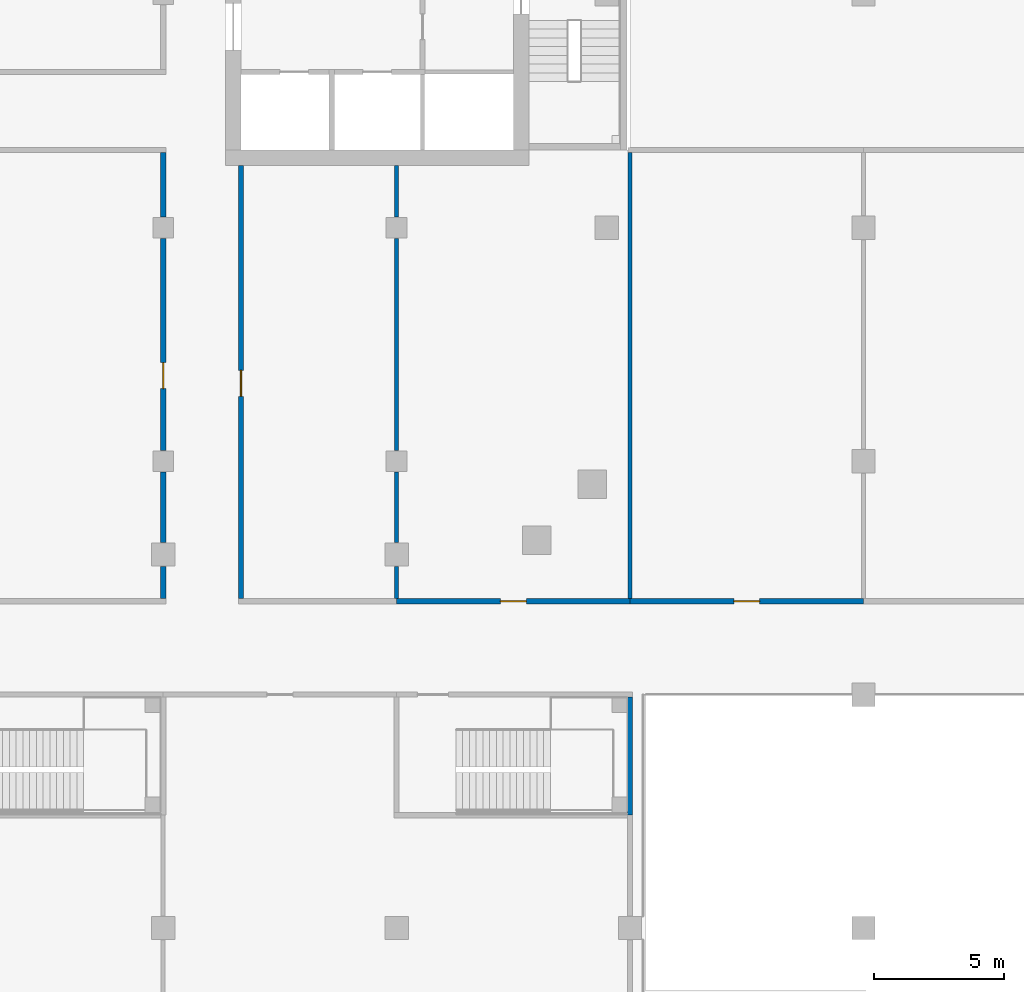
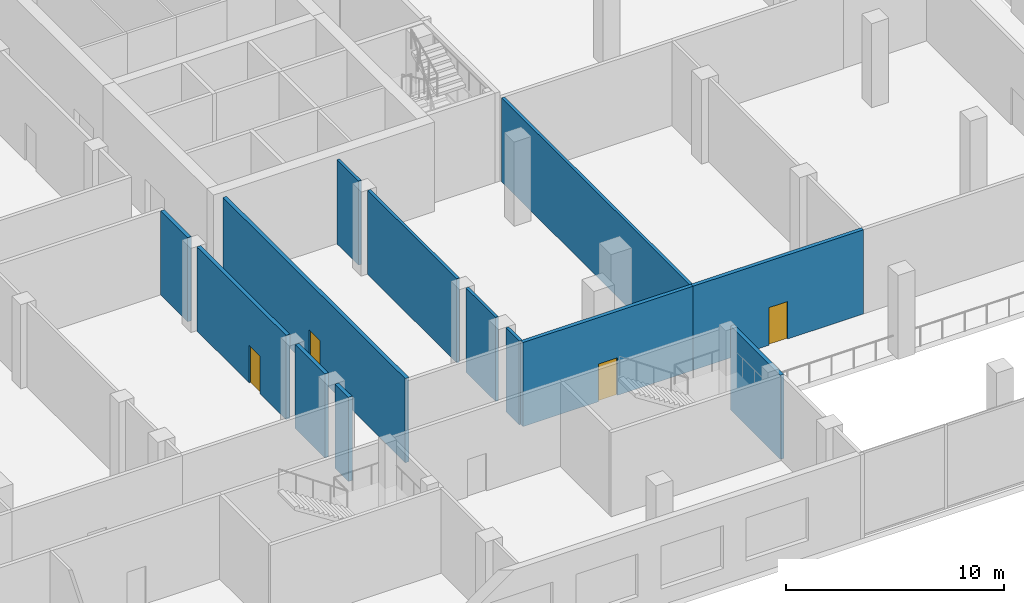
# One storey, part 7 of 23: 13 walls, 4 doors, 4 openings.
"""IFC4 building model written with IfcOpenShell, lengths in metres."""

import ifcopenshell
import ifcopenshell.guid

model = None  # the IFC model being written
_history = None  # IfcOwnerHistory: only IFC2X3 demands one
_inside = {}  # id of a spatial element -> (the spatial element, [elements in it])
_under = {}  # id of a project, library or spatial element -> (it, [spatial elements below it])
_declared = {}  # id of a project -> (the project, [libraries it declares])
_typed = {}  # id of a type object -> (the type object, [elements of that type])
_made_of = {}  # id of a material, layer set ... -> (it, [elements and type objects made of it])


def new_model(schema):
    """Start an empty IFC model of exactly this schema.

    Asked for "IFC4X3", IfcOpenShell would pick the latest addendum, in which some entities
    have other attributes; the version numbers below select the first issue.
    IFC2X3 requires an IfcOwnerHistory on every rooted entity: one is made here for all.
    """
    global model, _history
    if schema == "IFC4X3":
        model = ifcopenshell.file(schema_version=(4, 3, 0, 0))
    else:
        model = ifcopenshell.file(schema=schema)
    _inside.clear()
    _under.clear()
    _declared.clear()
    _typed.clear()
    _made_of.clear()
    _history = None
    if model.schema == "IFC2X3":
        org = make("IfcOrganization", Name="unknown")
        user = make(
            "IfcPersonAndOrganization",
            ThePerson=make("IfcPerson", FamilyName="unknown"),
            TheOrganization=org,
        )
        app = make(
            "IfcApplication",
            ApplicationDeveloper=org,
            Version="unknown",
            ApplicationFullName="unknown",
            ApplicationIdentifier="unknown",
        )
        _history = make(
            "IfcOwnerHistory",
            OwningUser=user,
            OwningApplication=app,
            ChangeAction="ADDED",
            CreationDate=0,
        )
    return model


def make(cls, **values):
    """One entity of the class cls with the attributes given. An attribute that is None is left unset."""
    return model.create_entity(
        cls, **{name: value for name, value in values.items() if value is not None}
    )


def rooted(cls, **values):
    """An entity with a GlobalId (a new one), such as an element, a storey or a relation."""
    return make(cls, GlobalId=ifcopenshell.guid.new(), OwnerHistory=_history, **values)


def si_unit(unit_type, name, prefix=None):
    """IfcSIUnit, for example si_unit("LENGTHUNIT", "METRE", prefix="MILLI")."""
    return make("IfcSIUnit", UnitType=unit_type, Prefix=prefix, Name=name)


def assignment(units):
    """IfcUnitAssignment: the units of a project."""
    return None if units is None else make("IfcUnitAssignment", Units=units)


def point(xyz):
    """IfcCartesianPoint."""
    return None if xyz is None else make("IfcCartesianPoint", Coordinates=xyz)


def direction(xyz):
    """IfcDirection."""
    return None if xyz is None else make("IfcDirection", DirectionRatios=xyz)


def frame(location, z_axis=None, x_axis=None):
    """IfcAxis2Placement3D, a coordinate frame: its origin and axes. An axis left out is left unset."""
    return make(
        "IfcAxis2Placement3D",
        Location=point(location),
        Axis=direction(z_axis),
        RefDirection=direction(x_axis),
    )


def frame_2d(location, x_axis=None):
    """IfcAxis2Placement2D, a coordinate frame in the plane: its origin and x axis."""
    return make(
        "IfcAxis2Placement2D", Location=point(location), RefDirection=direction(x_axis)
    )


def origin():
    """The frame at (0, 0, 0) with its axes left unset."""
    return frame((0.0, 0.0, 0.0))


def place(relative_to, where):
    """IfcLocalPlacement: puts the frame where relative to a parent placement (None: the world)."""
    return make(
        "IfcLocalPlacement", PlacementRelTo=relative_to, RelativePlacement=where
    )


def context(
    kind, dimensions, precision=None, world=None, true_north=None, identifier=None
):
    """IfcGeometricRepresentationContext, for example the 3D "Model" context."""
    return make(
        "IfcGeometricRepresentationContext",
        ContextIdentifier=identifier,
        ContextType=kind,
        CoordinateSpaceDimension=dimensions,
        Precision=precision,
        WorldCoordinateSystem=world,
        TrueNorth=true_north,
    )


def subcontext(parent, identifier, kind, view, scale=None):
    """IfcGeometricRepresentationSubContext, for example "Body" below "Model"."""
    return make(
        "IfcGeometricRepresentationSubContext",
        ContextIdentifier=identifier,
        ContextType=kind,
        ParentContext=parent,
        TargetScale=scale,
        TargetView=view,
    )


def project(units=None, contexts=None):
    """IfcProject with its units and contexts."""
    return rooted(
        "IfcProject",
        Name="project",
        RepresentationContexts=contexts,
        UnitsInContext=assignment(units),
    )


def spatial(cls, under=None, at=None, **own):
    """A site, building, storey or space (cls), placed at a placement, below another one or the project."""
    s = rooted(cls, ObjectPlacement=at, **own)
    if under is not None:
        _under.setdefault(under.id(), (under, []))[1].append(s)
    return s


def profile(cls, at=None, kind="AREA", **sizes):
    """A parametric profile (cls). Its sizes go by their IFC names, for example OverallWidth=200.0."""
    return make(cls, ProfileType=kind, Position=at, **sizes)


def rectangle(**sizes):
    """IfcRectangleProfileDef."""
    return profile("IfcRectangleProfileDef", **sizes)


def extrude(swept, where, along, depth):
    """IfcExtrudedAreaSolid: the profile swept, set in the frame where, extruded along a direction by depth."""
    return make(
        "IfcExtrudedAreaSolid",
        SweptArea=swept,
        Position=where,
        ExtrudedDirection=direction(along),
        Depth=depth,
    )


def shape(context_of_items, identifier, shape_type, items):
    """IfcShapeRepresentation: the items that make up one representation, for example the "Body"."""
    return make(
        "IfcShapeRepresentation",
        ContextOfItems=context_of_items,
        RepresentationIdentifier=identifier,
        RepresentationType=shape_type,
        Items=items,
    )


def material(Name=None, Category=None):
    """IfcMaterial."""
    return make("IfcMaterial", Name=Name, Category=Category)


def layer(
    of_material, thickness, ventilated=None, Name=None, Category=None, Priority=None
):
    """IfcMaterialLayer: one layer of a wall or slab, of a material (None: an air gap)."""
    return make(
        "IfcMaterialLayer",
        Material=of_material,
        LayerThickness=thickness,
        IsVentilated=ventilated,
        Name=Name,
        Category=Category,
        Priority=Priority,
    )


def layer_set(layers, Name=None):
    """IfcMaterialLayerSet."""
    return make("IfcMaterialLayerSet", MaterialLayers=layers, LayerSetName=Name)


def made_of(thing, what):
    """Note that an element or type object is made of a material, layer set ...; save() writes the relation."""
    if what is not None:
        _made_of.setdefault(what.id(), (what, []))[1].append(thing)
    return thing


def type_object(cls, material=None, **own):
    """A type object (cls), such as IfcWallType, which elements share."""
    return made_of(rooted(cls, **own), material)


def element(
    cls,
    number,
    at=None,
    inside=None,
    cuts=None,
    type_object=None,
    material=None,
    context=None,
    identifier="Body",
    shape_type=None,
    held_by="IfcProductDefinitionShape",
    body=None,
    shapes=None,
    **own,
):
    """One element of the class cls, such as IfcWall. Its Tag is "e" and its number.

    at: its placement. inside: the storey or other place that contains it. cuts: it is an
    opening in that element (IfcRelVoidsElement). A single representation is given by context,
    identifier, shape_type and body (its items); several are given by shapes. held_by: the class
    of the entity that holds the representations. save() writes the other relations.
    """
    e = rooted(cls, Tag="e%d" % number, ObjectPlacement=at, **own)
    if body is not None:
        shapes = [shape(context, identifier, shape_type, body)]
    if shapes is not None:
        e.Representation = make(held_by, Representations=shapes)
    if inside is not None:
        _inside.setdefault(inside.id(), (inside, []))[1].append(e)
    if cuts is not None:
        rooted(
            "IfcRelVoidsElement", RelatingBuildingElement=cuts, RelatedOpeningElement=e
        )
    if type_object is not None:
        _typed.setdefault(type_object.id(), (type_object, []))[1].append(e)
    return made_of(e, material)


def fill(opening, filler):
    """IfcRelFillsElement: the door or window that sits in an opening."""
    return rooted(
        "IfcRelFillsElement",
        RelatingOpeningElement=opening,
        RelatedBuildingElement=filler,
    )


def aggregate(whole, parts):
    """IfcRelAggregates: a whole, such as a stair, and the parts it consists of."""
    return rooted("IfcRelAggregates", RelatingObject=whole, RelatedObjects=parts)


def save(model, path):
    """Write the relations noted so far, then the file.

    IfcRelAggregates (storeys below a building ...), IfcRelContainedInSpatialStructure (elements
    in a storey), IfcRelDefinesByType, IfcRelAssociatesMaterial and IfcRelDeclares: one each for
    every whole, place, type object, material and project.
    """
    for whole, parts in _under.values():
        aggregate(whole, parts)
    for where, things in _inside.values():
        rooted(
            "IfcRelContainedInSpatialStructure",
            RelatedElements=things,
            RelatingStructure=where,
        )
    for kind, things in _typed.values():
        rooted("IfcRelDefinesByType", RelatedObjects=things, RelatingType=kind)
    for what, things in _made_of.values():
        rooted("IfcRelAssociatesMaterial", RelatedObjects=things, RelatingMaterial=what)
    for by, libraries in _declared.values():
        rooted("IfcRelDeclares", RelatingContext=by, RelatedDefinitions=libraries)
    model.write(path)


model = new_model("IFC4")

# Units and contexts
model_context = context("Model", 3, precision=1e-05, world=origin(), true_north=direction((0.0, 1.0)))
body_context = subcontext(model_context, "Body", "Model", "MODEL_VIEW")
ifc_project = project(units=[si_unit("LENGTHUNIT", "METRE"), si_unit("AREAUNIT", "SQUARE_METRE"), si_unit("VOLUMEUNIT", "CUBIC_METRE"), si_unit("PLANEANGLEUNIT", "RADIAN"), si_unit("MASSUNIT", "GRAM", prefix="KILO")], contexts=[model_context])

# Site, building, storey
site_placement = place(None, origin())
site = spatial("IfcSite", under=ifc_project, at=site_placement, CompositionType="ELEMENT")
building_placement = place(site_placement, origin())
building = spatial("IfcBuilding", under=site, at=building_placement, Name="Cinnabar Reach Civic Tower", CompositionType="ELEMENT")
storey_placement = place(building_placement, frame((0.0, 0.0, 6.0)))
storey = spatial("IfcBuildingStorey", under=building, at=storey_placement, Name="L01", CompositionType="ELEMENT", Elevation=6.0)

# Wall
ifc_material_1 = material(Name="Concrete blockwork", Category="masonry")
ifc_layer_1 = layer(ifc_material_1, 0.2)
ifc_layer_set_1 = layer_set([ifc_layer_1], Name="Podium masonry corridor wall 200 EI 120")
wall_type_1 = type_object("IfcWallType", Name="Podium masonry corridor wall 200 EI 120", PredefinedType="PARTITIONING", material=ifc_layer_set_1)
wall_1_placement = place(storey_placement, frame((-27.0, -4.65, 0.0), z_axis=(0.0, 0.0, 1.0), x_axis=(0.0, 1.0, 0.0)))
element("IfcWall", 1, at=wall_1_placement, inside=storey, type_object=wall_type_1, Name="Wall L01 37", PredefinedType="PARTITIONING", context=body_context, shape_type="SweptSolid", body=[
    extrude(rectangle(XDim=4.55, YDim=0.2, at=frame_2d((2.275, 0.0))), origin(), (0.0, 0.0, 1.0), 4.7),
])

# Wall, opening, door
wall_2_placement = place(storey_placement, frame((-36.0, 3.6, 0.0), z_axis=(0.0, 0.0, 1.0), x_axis=(1.0, 0.0, 0.0)))
wall_2 = element("IfcWall", 2, at=wall_2_placement, inside=storey, type_object=wall_type_1, Name="Wall L01 53", PredefinedType="PARTITIONING", context=body_context, shape_type="SweptSolid", body=[
    extrude(rectangle(XDim=9.0, YDim=0.2, at=frame_2d((4.5, 0.0))), origin(), (0.0, 0.0, 1.0), 4.7),
])
opening_1_placement = place(wall_2_placement, frame((4.0, 0.0, 0.0)))
opening_1 = element("IfcOpeningElement", 3, at=opening_1_placement, cuts=wall_2, Name="Opening D1063", PredefinedType="OPENING", context=body_context, shape_type="SweptSolid", body=[
    extrude(rectangle(XDim=1.0, YDim=2.1, at=frame_2d((0.5, 1.05))), frame((0.0, 0.11, 0.0), z_axis=(0.0, -1.0, 0.0), x_axis=(1.0, 0.0, 0.0)), (0.0, 0.0, 1.0), 0.22),
])
ifc_material_2 = material(Name="Painted steel door leaf", Category="steel")
door_type = type_object("IfcDoorType", Name="Podium single door 1000x2100", OperationType="SINGLE_SWING_LEFT", PredefinedType="DOOR", material=ifc_material_2)
door_1_placement = place(opening_1_placement, origin())
door_1 = element("IfcDoor", 4, at=door_1_placement, inside=storey, type_object=door_type, Name="Door D1063", OperationType="SINGLE_SWING_LEFT", OverallHeight=2.1, OverallWidth=1.0, PredefinedType="DOOR", context=body_context, shape_type="SweptSolid", body=[
    extrude(rectangle(XDim=1.0, YDim=2.1, at=frame_2d((0.5, 1.05))), frame((0.0, 0.025, 0.0), z_axis=(0.0, -1.0, 0.0), x_axis=(1.0, 0.0, 0.0)), (0.0, 0.0, 1.0), 0.05),
])
fill(opening_1, door_1)

# Walls
wall_3_placement = place(storey_placement, frame((-45.0, 3.7, 0.0), z_axis=(0.0, 0.0, 1.0), x_axis=(0.0, 1.0, 0.0)))
element("IfcWall", 5, at=wall_3_placement, inside=storey, type_object=wall_type_1, Name="Wall L01 69", PredefinedType="PARTITIONING", context=body_context, shape_type="SweptSolid", body=[
    extrude(rectangle(XDim=1.23, YDim=0.2, at=frame_2d((0.615, 0.0))), origin(), (0.0, 0.0, 1.0), 4.7),
])
wall_4_placement = place(storey_placement, frame((-45.0, 5.87, 0.0), z_axis=(0.0, 0.0, 1.0), x_axis=(0.0, 1.0, 0.0)))
element("IfcWall", 6, at=wall_4_placement, inside=storey, type_object=wall_type_1, Name="Wall L01 70", PredefinedType="PARTITIONING", context=body_context, shape_type="SweptSolid", body=[
    extrude(rectangle(XDim=2.71, YDim=0.2, at=frame_2d((1.355, 0.0))), origin(), (0.0, 0.0, 1.0), 4.7),
])

# Wall, opening, door
wall_5_placement = place(storey_placement, frame((-45.0, 9.42, 0.0), z_axis=(0.0, 0.0, 1.0), x_axis=(0.0, 1.0, 0.0)))
wall_5 = element("IfcWall", 7, at=wall_5_placement, inside=storey, type_object=wall_type_1, Name="Wall L01 71", PredefinedType="PARTITIONING", context=body_context, shape_type="SweptSolid", body=[
    extrude(rectangle(XDim=8.16, YDim=0.2, at=frame_2d((4.08, 0.0))), origin(), (0.0, 0.0, 1.0), 4.7),
])
opening_2_placement = place(wall_5_placement, frame((2.38, 0.0, 0.0)))
opening_2 = element("IfcOpeningElement", 8, at=opening_2_placement, cuts=wall_5, Name="Opening D1061", PredefinedType="OPENING", context=body_context, shape_type="SweptSolid", body=[
    extrude(rectangle(XDim=1.0, YDim=2.1, at=frame_2d((0.5, 1.05))), frame((0.0, 0.11, 0.0), z_axis=(0.0, -1.0, 0.0), x_axis=(1.0, 0.0, 0.0)), (0.0, 0.0, 1.0), 0.22),
])
door_2_placement = place(opening_2_placement, origin())
door_2 = element("IfcDoor", 9, at=door_2_placement, inside=storey, type_object=door_type, Name="Door D1061", OperationType="SINGLE_SWING_RIGHT", OverallHeight=2.1, OverallWidth=1.0, PredefinedType="DOOR", context=body_context, shape_type="SweptSolid", body=[
    extrude(rectangle(XDim=1.0, YDim=2.1, at=frame_2d((0.5, 1.05))), frame((0.0, 0.025, 0.0), z_axis=(0.0, -1.0, 0.0), x_axis=(1.0, 0.0, 0.0)), (0.0, 0.0, 1.0), 0.05),
])
fill(opening_2, door_2)

# Wall
wall_6_placement = place(storey_placement, frame((-45.0, 18.42, 0.0), z_axis=(0.0, 0.0, 1.0), x_axis=(0.0, 1.0, 0.0)))
element("IfcWall", 10, at=wall_6_placement, inside=storey, type_object=wall_type_1, Name="Wall L01 72", PredefinedType="PARTITIONING", context=body_context, shape_type="SweptSolid", body=[
    extrude(rectangle(XDim=2.48, YDim=0.2, at=frame_2d((1.24, 0.0))), origin(), (0.0, 0.0, 1.0), 4.7),
])

# Wall, opening, door
wall_7_placement = place(storey_placement, frame((-42.0, 3.7, 0.0), z_axis=(0.0, 0.0, 1.0), x_axis=(0.0, 1.0, 0.0)))
wall_7 = element("IfcWall", 11, at=wall_7_placement, inside=storey, type_object=wall_type_1, Name="Wall L01 73", PredefinedType="PARTITIONING", context=body_context, shape_type="SweptSolid", body=[
    extrude(rectangle(XDim=16.7, YDim=0.2, at=frame_2d((8.35, 0.0))), origin(), (0.0, 0.0, 1.0), 4.7),
])
opening_3_placement = place(wall_7_placement, frame((7.8, 0.0, 0.0)))
opening_3 = element("IfcOpeningElement", 12, at=opening_3_placement, cuts=wall_7, Name="Opening D1062", PredefinedType="OPENING", context=body_context, shape_type="SweptSolid", body=[
    extrude(rectangle(XDim=1.0, YDim=2.1, at=frame_2d((0.5, 1.05))), frame((0.0, 0.11, 0.0), z_axis=(0.0, -1.0, 0.0), x_axis=(1.0, 0.0, 0.0)), (0.0, 0.0, 1.0), 0.22),
])
door_3_placement = place(opening_3_placement, frame((1.0, 0.0, 0.0), z_axis=(0.0, 0.0, 1.0), x_axis=(-1.0, 0.0, 0.0)))
door_3 = element("IfcDoor", 13, at=door_3_placement, inside=storey, type_object=door_type, Name="Door D1062", OperationType="SINGLE_SWING_RIGHT", OverallHeight=2.1, OverallWidth=1.0, PredefinedType="DOOR", context=body_context, shape_type="SweptSolid", body=[
    extrude(rectangle(XDim=1.0, YDim=2.1, at=frame_2d((0.5, 1.05))), frame((0.0, 0.025, 0.0), z_axis=(0.0, -1.0, 0.0), x_axis=(1.0, 0.0, 0.0)), (0.0, 0.0, 1.0), 0.05),
])
fill(opening_3, door_3)

wall_8_placement = place(storey_placement, frame((-27.0, 3.6, 0.0), z_axis=(0.0, 0.0, 1.0), x_axis=(1.0, 0.0, 0.0)))
wall_8 = element("IfcWall", 14, at=wall_8_placement, inside=storey, type_object=wall_type_1, Name="Wall L01 125", PredefinedType="PARTITIONING", context=body_context, shape_type="SweptSolid", body=[
    extrude(rectangle(XDim=9.0, YDim=0.2, at=frame_2d((4.5, 0.0))), origin(), (0.0, 0.0, 1.0), 4.7),
])
opening_4_placement = place(wall_8_placement, frame((4.0, 0.0, 0.0)))
opening_4 = element("IfcOpeningElement", 15, at=opening_4_placement, cuts=wall_8, Name="Opening D1043", PredefinedType="OPENING", context=body_context, shape_type="SweptSolid", body=[
    extrude(rectangle(XDim=1.0, YDim=2.1, at=frame_2d((0.5, 1.05))), frame((0.0, 0.11, 0.0), z_axis=(0.0, -1.0, 0.0), x_axis=(1.0, 0.0, 0.0)), (0.0, 0.0, 1.0), 0.22),
])
door_4_placement = place(opening_4_placement, origin())
door_4 = element("IfcDoor", 16, at=door_4_placement, inside=storey, type_object=door_type, Name="Door D1043", OperationType="SINGLE_SWING_LEFT", OverallHeight=2.1, OverallWidth=1.0, PredefinedType="DOOR", context=body_context, shape_type="SweptSolid", body=[
    extrude(rectangle(XDim=1.0, YDim=2.1, at=frame_2d((0.5, 1.05))), frame((0.0, 0.025, 0.0), z_axis=(0.0, -1.0, 0.0), x_axis=(1.0, 0.0, 0.0)), (0.0, 0.0, 1.0), 0.05),
])
fill(opening_4, door_4)

# Walls
ifc_material_3 = material(Name="Gypsum board on steel studs", Category="steel")
ifc_layer_2 = layer(ifc_material_3, 0.15)
ifc_layer_set_2 = layer_set([ifc_layer_2], Name="Podium partition wall 150 EI 90")
wall_type_2 = type_object("IfcWallType", Name="Podium partition wall 150 EI 90", PredefinedType="PARTITIONING", material=ifc_layer_set_2)
wall_9_placement = place(storey_placement, frame((-27.0, 3.7, 0.0), z_axis=(0.0, 0.0, 1.0), x_axis=(0.0, 1.0, 0.0)))
element("IfcWall", 17, at=wall_9_placement, inside=storey, type_object=wall_type_2, Name="Wall L01 135", PredefinedType="PARTITIONING", context=body_context, shape_type="SweptSolid", body=[
    extrude(rectangle(XDim=17.2, YDim=0.15, at=frame_2d((8.6, 0.0))), origin(), (0.0, 0.0, 1.0), 4.7),
])
wall_10_placement = place(storey_placement, frame((-36.0, 3.7, 0.0), z_axis=(0.0, 0.0, 1.0), x_axis=(0.0, 1.0, 0.0)))
element("IfcWall", 18, at=wall_10_placement, inside=storey, type_object=wall_type_2, Name="Wall L01 180", PredefinedType="PARTITIONING", context=body_context, shape_type="SweptSolid", body=[
    extrude(rectangle(XDim=1.23, YDim=0.15, at=frame_2d((0.615, 0.0))), origin(), (0.0, 0.0, 1.0), 4.7),
])
wall_11_placement = place(storey_placement, frame((-36.0, 5.87, 0.0), z_axis=(0.0, 0.0, 1.0), x_axis=(0.0, 1.0, 0.0)))
element("IfcWall", 19, at=wall_11_placement, inside=storey, type_object=wall_type_2, Name="Wall L01 181", PredefinedType="PARTITIONING", context=body_context, shape_type="SweptSolid", body=[
    extrude(rectangle(XDim=2.71, YDim=0.15, at=frame_2d((1.355, 0.0))), origin(), (0.0, 0.0, 1.0), 4.7),
])
wall_12_placement = place(storey_placement, frame((-36.0, 9.42, 0.0), z_axis=(0.0, 0.0, 1.0), x_axis=(0.0, 1.0, 0.0)))
element("IfcWall", 20, at=wall_12_placement, inside=storey, type_object=wall_type_2, Name="Wall L01 182", PredefinedType="PARTITIONING", context=body_context, shape_type="SweptSolid", body=[
    extrude(rectangle(XDim=8.16, YDim=0.15, at=frame_2d((4.08, 0.0))), origin(), (0.0, 0.0, 1.0), 4.7),
])
wall_13_placement = place(storey_placement, frame((-36.0, 18.42, 0.0), z_axis=(0.0, 0.0, 1.0), x_axis=(0.0, 1.0, 0.0)))
element("IfcWall", 21, at=wall_13_placement, inside=storey, type_object=wall_type_2, Name="Wall L01 183", PredefinedType="PARTITIONING", context=body_context, shape_type="SweptSolid", body=[
    extrude(rectangle(XDim=1.98, YDim=0.15, at=frame_2d((0.99, 0.0))), origin(), (0.0, 0.0, 1.0), 4.7),
])

save(model, "model.ifc")
